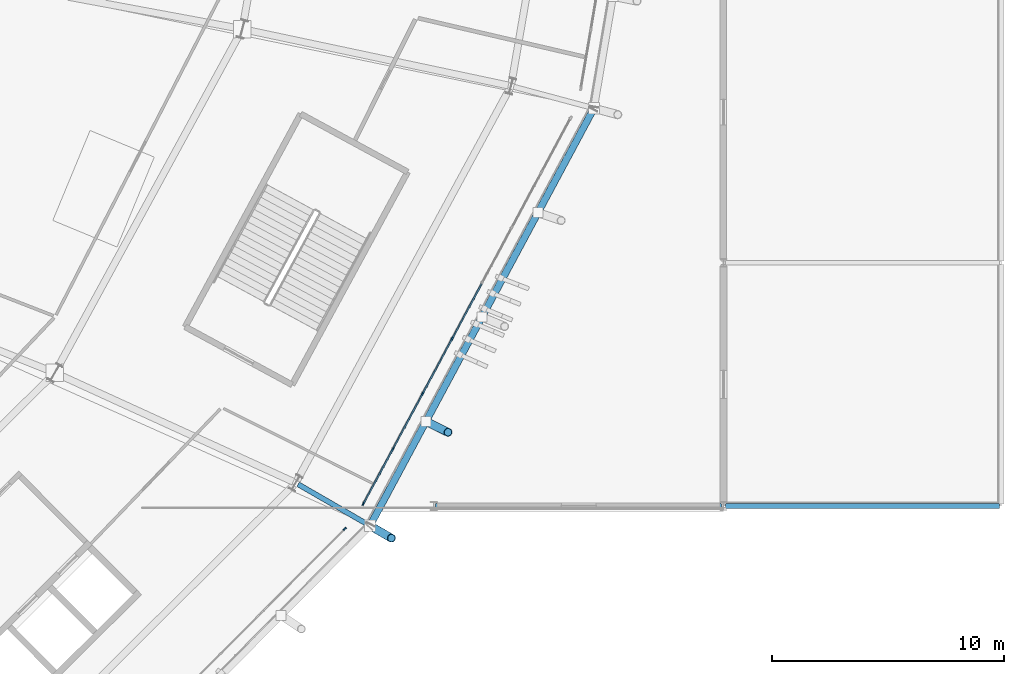
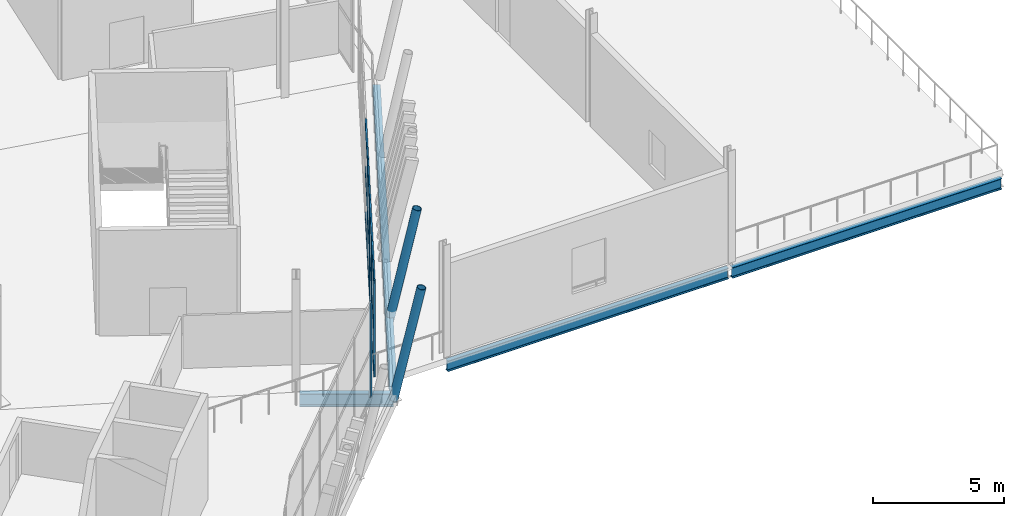
# One storey, part 55 of 168: 19 members, 4 beams, 2 elements without a shape of their own.
"""IFC4 building model written with IfcOpenShell, lengths in metres."""

from ifc_helpers import new_model, si_unit, direction, frame, origin, origin_2d, place, context, subcontext, project, spatial, rectangle, hollow_rectangle, hollow_circle, i_section, extrude, material, material_profile, profile_set, type_object, element, aggregate, save


model = new_model("IFC4")

# Units and contexts
model_context = context("Model", 3, precision=1e-05, world=origin(), true_north=direction((0.0, 1.0)))
body_context = subcontext(model_context, "Body", "Model", "MODEL_VIEW")
ifc_project = project(units=[si_unit("LENGTHUNIT", "METRE"), si_unit("AREAUNIT", "SQUARE_METRE"), si_unit("VOLUMEUNIT", "CUBIC_METRE"), si_unit("PLANEANGLEUNIT", "RADIAN"), si_unit("MASSUNIT", "GRAM", prefix="KILO")], contexts=[model_context])

# Site, building, storey
site_placement = place(None, origin())
site = spatial("IfcSite", under=ifc_project, at=site_placement, CompositionType="ELEMENT")
building_placement = place(site_placement, origin())
building = spatial("IfcBuilding", under=site, at=building_placement, Name="Zlatoyarsky Gate Stadium", CompositionType="ELEMENT")
storey_placement = place(building_placement, frame((0.0, 0.0, 15.60009765625)))
storey = spatial("IfcBuildingStorey", under=building, at=storey_placement, Name="L03", CompositionType="ELEMENT", Elevation=15.60009765625)

# Curtain wall, member
ifc_material_1 = material(Name="Thermally broken anodised aluminium curtain wall", Category="aluminium")
curtain_wall_type = type_object("IfcCurtainWallType", Name="UNITISED CORPORATE BOX GLAZING L03", PredefinedType="USERDEFINED", material=ifc_material_1)
curtain_wall_1_placement = place(storey_placement, origin())
curtain_wall_1 = element("IfcCurtainWall", 1, at=curtain_wall_1_placement, inside=storey, type_object=curtain_wall_type, Name="Curtain wall CW-L03-21", ObjectType="UNITISED GLAZING", PredefinedType="USERDEFINED")
ifc_material_2 = material(Name="Anodised aluminium 6063-T6", Category="aluminium")
ifc_material_profile_1 = material_profile(ifc_material_2, rectangle(XDim=0.06494140625, YDim=0.159912109375, at=origin_2d()), Name="ALU 65X160")
ifc_profile_set_1 = profile_set([ifc_material_profile_1], Name="Anodised aluminium 6063-T6")
member_type_1 = type_object("IfcMemberType", Name="ALUMINIUM MULLION 65X160", PredefinedType="MULLION", material=ifc_profile_set_1)
member_1_placement = place(storey_placement, frame((193.65869140625, 42.51513671875, 0.0), z_axis=(0.0, 0.0, 1.0), x_axis=(-0.708721143054, 0.705488725202, 0.0)))
member_1 = element("IfcMember", 2, at=member_1_placement, type_object=member_type_1, Name="CW-UG3 mullion 9", PredefinedType="MULLION", context=body_context, shape_type="SweptSolid", body=[
    extrude(rectangle(XDim=0.06494140625, YDim=0.159912109375, at=origin_2d()), origin(), (0.0, 0.0, 1.0), 4.3798828125),
])
aggregate(curtain_wall_1, [member_1])

# Curtain wall, members
curtain_wall_2_placement = place(storey_placement, origin())
curtain_wall_2 = element("IfcCurtainWall", 3, at=curtain_wall_2_placement, inside=storey, type_object=curtain_wall_type, Name="Curtain wall CW-L03-22", ObjectType="UNITISED GLAZING", PredefinedType="USERDEFINED")
member_2_placement = place(storey_placement, frame((194.46337890625, 43.60009765625, 0.0), z_axis=(0.0, 0.0, 1.0), x_axis=(-0.880877202392, 0.473344857694, 0.0)))
member_2 = element("IfcMember", 4, at=member_2_placement, type_object=member_type_1, Name="CW-UG3 mullion 1", PredefinedType="MULLION", context=body_context, shape_type="SweptSolid", body=[
    extrude(rectangle(XDim=0.06494140625, YDim=0.159912109375, at=origin_2d()), origin(), (0.0, 0.0, 1.0), 4.3798828125),
])
member_3_placement = place(storey_placement, frame((195.730224609375, 45.95751953125, 0.0), z_axis=(0.0, 0.0, 1.0), x_axis=(-0.880877202392, 0.473344857694, 0.0)))
member_3 = element("IfcMember", 5, at=member_3_placement, type_object=member_type_1, Name="CW-UG3 mullion 2", PredefinedType="MULLION", context=body_context, shape_type="SweptSolid", body=[
    extrude(rectangle(XDim=0.06494140625, YDim=0.159912109375, at=origin_2d()), origin(), (0.0, 0.0, 1.0), 4.3798828125),
])
member_4_placement = place(storey_placement, frame((197.012451171875, 48.34375, 0.0), z_axis=(0.0, 0.0, 1.0), x_axis=(-0.880877202392, 0.473344857694, 0.0)))
member_4 = element("IfcMember", 6, at=member_4_placement, type_object=member_type_1, Name="CW-UG3 mullion 3", PredefinedType="MULLION", context=body_context, shape_type="SweptSolid", body=[
    extrude(rectangle(XDim=0.06494140625, YDim=0.159912109375, at=origin_2d()), origin(), (0.0, 0.0, 1.0), 4.3798828125),
])
member_5_placement = place(storey_placement, frame((198.294677734375, 50.729736328125, 0.0), z_axis=(0.0, 0.0, 1.0), x_axis=(-0.880877202392, 0.473344857694, 0.0)))
member_5 = element("IfcMember", 7, at=member_5_placement, type_object=member_type_1, Name="CW-UG3 mullion 4", PredefinedType="MULLION", context=body_context, shape_type="SweptSolid", body=[
    extrude(rectangle(XDim=0.06494140625, YDim=0.159912109375, at=origin_2d()), origin(), (0.0, 0.0, 1.0), 4.3798828125),
])
ifc_material_profile_2 = material_profile(ifc_material_2, rectangle(XDim=0.06494140625, YDim=0.139892578125, at=origin_2d()), Name="ALU 65X140")
ifc_profile_set_2 = profile_set([ifc_material_profile_2], Name="Anodised aluminium 6063-T6")
member_type_2 = type_object("IfcMemberType", Name="ALUMINIUM TRANSOM 65X140", PredefinedType="USERDEFINED", material=ifc_profile_set_2)
member_6_placement = place(storey_placement, frame((194.478759765625, 43.628662109375, 0.032470703125), z_axis=(0.473347001092, 0.880876050621, 0.0), x_axis=(-0.880876050621, 0.473347001092, 0.0)))
member_6 = element("IfcMember", 8, at=member_6_placement, type_object=member_type_2, Name="CW-UG3 transom 1.1", ObjectType="TRANSOM", PredefinedType="USERDEFINED", context=body_context, shape_type="SweptSolid", body=[
    extrude(rectangle(XDim=0.06494140625, YDim=0.139892578125, at=origin_2d()), origin(), (0.0, 0.0, 1.0), 2.611328125),
])
member_7_placement = place(storey_placement, frame((194.478759765625, 43.628662109375, 2.14990234375), z_axis=(0.473347001092, 0.880876050621, 0.0), x_axis=(-0.880876050621, 0.473347001092, 0.0)))
member_7 = element("IfcMember", 9, at=member_7_placement, type_object=member_type_2, Name="CW-UG3 transom 1.2", ObjectType="TRANSOM", PredefinedType="USERDEFINED", context=body_context, shape_type="SweptSolid", body=[
    extrude(rectangle(XDim=0.06494140625, YDim=0.139892578125, at=origin_2d()), origin(), (0.0, 0.0, 1.0), 2.611328125),
])
member_8_placement = place(storey_placement, frame((194.478759765625, 43.628662109375, 4.347412109375), z_axis=(0.473347001092, 0.880876050621, 0.0), x_axis=(-0.880876050621, 0.473347001092, 0.0)))
member_8 = element("IfcMember", 10, at=member_8_placement, type_object=member_type_2, Name="CW-UG3 transom 1.3", ObjectType="TRANSOM", PredefinedType="USERDEFINED", context=body_context, shape_type="SweptSolid", body=[
    extrude(rectangle(XDim=0.06494140625, YDim=0.139892578125, at=origin_2d()), origin(), (0.0, 0.0, 1.0), 2.611328125),
])
member_9_placement = place(storey_placement, frame((195.74560546875, 45.986328125, 0.032470703125), z_axis=(0.473356241073, 0.880871085368, 0.0), x_axis=(-0.880871085368, 0.473356241073, 0.0)))
member_9 = element("IfcMember", 11, at=member_9_placement, type_object=member_type_2, Name="CW-UG3 transom 2.1", ObjectType="TRANSOM", PredefinedType="USERDEFINED", context=body_context, shape_type="SweptSolid", body=[
    extrude(rectangle(XDim=0.06494140625, YDim=0.139892578125, at=origin_2d()), origin(), (0.0, 0.0, 1.0), 2.643798828125),
])
member_10_placement = place(storey_placement, frame((195.74560546875, 45.986328125, 2.14990234375), z_axis=(0.473356241073, 0.880871085368, 0.0), x_axis=(-0.880871085368, 0.473356241073, 0.0)))
member_10 = element("IfcMember", 12, at=member_10_placement, type_object=member_type_2, Name="CW-UG3 transom 2.2", ObjectType="TRANSOM", PredefinedType="USERDEFINED", context=body_context, shape_type="SweptSolid", body=[
    extrude(rectangle(XDim=0.06494140625, YDim=0.139892578125, at=origin_2d()), origin(), (0.0, 0.0, 1.0), 2.643798828125),
])
member_11_placement = place(storey_placement, frame((195.74560546875, 45.986328125, 4.347412109375), z_axis=(0.473356241073, 0.880871085368, 0.0), x_axis=(-0.880871085368, 0.473356241073, 0.0)))
member_11 = element("IfcMember", 13, at=member_11_placement, type_object=member_type_2, Name="CW-UG3 transom 2.3", ObjectType="TRANSOM", PredefinedType="USERDEFINED", context=body_context, shape_type="SweptSolid", body=[
    extrude(rectangle(XDim=0.06494140625, YDim=0.139892578125, at=origin_2d()), origin(), (0.0, 0.0, 1.0), 2.643798828125),
])
member_12_placement = place(storey_placement, frame((197.02783203125, 48.372314453125, 0.032470703125), z_axis=(0.473284583402, 0.880909588502, 0.0), x_axis=(-0.880909588502, 0.473284583402, 0.0)))
member_12 = element("IfcMember", 14, at=member_12_placement, type_object=member_type_2, Name="CW-UG3 transom 3.1", ObjectType="TRANSOM", PredefinedType="USERDEFINED", context=body_context, shape_type="SweptSolid", body=[
    extrude(rectangle(XDim=0.06494140625, YDim=0.139892578125, at=origin_2d()), origin(), (0.0, 0.0, 1.0), 2.643798828125),
])
member_13_placement = place(storey_placement, frame((197.02783203125, 48.372314453125, 2.14990234375), z_axis=(0.473284583402, 0.880909588502, 0.0), x_axis=(-0.880909588502, 0.473284583402, 0.0)))
member_13 = element("IfcMember", 15, at=member_13_placement, type_object=member_type_2, Name="CW-UG3 transom 3.2", ObjectType="TRANSOM", PredefinedType="USERDEFINED", context=body_context, shape_type="SweptSolid", body=[
    extrude(rectangle(XDim=0.06494140625, YDim=0.139892578125, at=origin_2d()), origin(), (0.0, 0.0, 1.0), 2.643798828125),
])
member_14_placement = place(storey_placement, frame((197.02783203125, 48.372314453125, 4.347412109375), z_axis=(0.473284583402, 0.880909588502, 0.0), x_axis=(-0.880909588502, 0.473284583402, 0.0)))
member_14 = element("IfcMember", 16, at=member_14_placement, type_object=member_type_2, Name="CW-UG3 transom 3.3", ObjectType="TRANSOM", PredefinedType="USERDEFINED", context=body_context, shape_type="SweptSolid", body=[
    extrude(rectangle(XDim=0.06494140625, YDim=0.139892578125, at=origin_2d()), origin(), (0.0, 0.0, 1.0), 2.643798828125),
])
member_15_placement = place(storey_placement, frame((198.31005859375, 50.758544921875, 0.032470703125), z_axis=(0.473323087984, 0.880888900135, 0.0), x_axis=(-0.880888900135, 0.473323087984, 0.0)))
member_15 = element("IfcMember", 17, at=member_15_placement, type_object=member_type_2, Name="CW-UG3 transom 4.1", ObjectType="TRANSOM", PredefinedType="USERDEFINED", context=body_context, shape_type="SweptSolid", body=[
    extrude(rectangle(XDim=0.06494140625, YDim=0.139892578125, at=origin_2d()), origin(), (0.0, 0.0, 1.0), 2.6435546875),
])
member_16_placement = place(storey_placement, frame((198.31005859375, 50.758544921875, 2.14990234375), z_axis=(0.473323087984, 0.880888900135, 0.0), x_axis=(-0.880888900135, 0.473323087984, 0.0)))
member_16 = element("IfcMember", 18, at=member_16_placement, type_object=member_type_2, Name="CW-UG3 transom 4.2", ObjectType="TRANSOM", PredefinedType="USERDEFINED", context=body_context, shape_type="SweptSolid", body=[
    extrude(rectangle(XDim=0.06494140625, YDim=0.139892578125, at=origin_2d()), origin(), (0.0, 0.0, 1.0), 2.6435546875),
])
member_17_placement = place(storey_placement, frame((198.31005859375, 50.758544921875, 4.347412109375), z_axis=(0.473323087984, 0.880888900135, 0.0), x_axis=(-0.880888900135, 0.473323087984, 0.0)))
member_17 = element("IfcMember", 19, at=member_17_placement, type_object=member_type_2, Name="CW-UG3 transom 4.3", ObjectType="TRANSOM", PredefinedType="USERDEFINED", context=body_context, shape_type="SweptSolid", body=[
    extrude(rectangle(XDim=0.06494140625, YDim=0.139892578125, at=origin_2d()), origin(), (0.0, 0.0, 1.0), 2.6435546875),
])
aggregate(curtain_wall_2, [member_2, member_3, member_4, member_5, member_6, member_7, member_8, member_9, member_10, member_11, member_12, member_13, member_14, member_15, member_16, member_17])

# Beams
ifc_material_3 = material(Name="Steel S355", Category="steel")
ifc_material_profile_3 = material_profile(ifc_material_3, i_section(OverallWidth=0.219970703125, OverallDepth=0.60009765625, WebThickness=0.011962890625, FlangeThickness=0.01904296875, FilletRadius=0.02392578125, at=origin_2d()), Name="IPE 600")
ifc_profile_set_3 = profile_set([ifc_material_profile_3], Name="Steel S355")
beam_type_1 = type_object("IfcBeamType", Name="STEEL CANTILEVER FLOOR BEAM IPE 600", PredefinedType="BEAM", material=ifc_profile_set_3)
beam_1_placement = place(storey_placement, frame((191.644287109375, 44.43994140625, -0.580078125), z_axis=(0.866036909293, -0.499980071345, 0.0), x_axis=(0.499980071345, 0.866036909293, 0.0)))
element("IfcBeam", 20, at=beam_1_placement, inside=storey, type_object=beam_type_1, Name="Beam B-IPE600 BM-L03-OUT-22", PredefinedType="BEAM", context=body_context, shape_type="SweptSolid", body=[
    extrude(i_section(OverallWidth=0.219970703125, OverallDepth=0.60009765625, WebThickness=0.011962890625, FlangeThickness=0.01904296875, FilletRadius=0.02392578125, at=origin_2d()), origin(), (0.0, 0.0, 1.0), 3.582275390625),
])
ifc_material_profile_4 = material_profile(ifc_material_3, i_section(OverallWidth=0.199951171875, OverallDepth=0.5, WebThickness=0.01025390625, FlangeThickness=0.01611328125, FilletRadius=0.02099609375, at=origin_2d()), Name="IPE 500")
ifc_profile_set_4 = profile_set([ifc_material_profile_4], Name="Steel S355")
beam_type_2 = type_object("IfcBeamType", Name="STEEL FLOOR BEAM IPE 500", PredefinedType="BEAM", material=ifc_profile_set_4)
beam_2_placement = place(storey_placement, frame((197.580078125, 43.5, -0.530029296875), z_axis=(1.0, 0.0, 0.0), x_axis=(0.0, 1.0, 0.0)))
element("IfcBeam", 21, at=beam_2_placement, inside=storey, type_object=beam_type_2, Name="Beam B-IPE500 BM-L03-WGX-17-E", PredefinedType="BEAM", context=body_context, shape_type="SweptSolid", body=[
    extrude(i_section(OverallWidth=0.199951171875, OverallDepth=0.5, WebThickness=0.01025390625, FlangeThickness=0.01611328125, FilletRadius=0.02099609375, at=origin_2d()), origin(), (0.0, 0.0, 1.0), 12.33984375),
])
beam_3_placement = place(storey_placement, frame((210.080078125, 43.5, -0.570068359375), z_axis=(1.0, 0.0, 0.0), x_axis=(0.0, 1.0, 0.0)))
element("IfcBeam", 22, at=beam_3_placement, inside=storey, type_object=beam_type_2, Name="Beam B-IPE500 BM-L03-WGX-18-E", PredefinedType="BEAM", context=body_context, shape_type="SweptSolid", body=[
    extrude(i_section(OverallWidth=0.199951171875, OverallDepth=0.5, WebThickness=0.01025390625, FlangeThickness=0.01611328125, FilletRadius=0.02099609375, at=origin_2d()), origin(), (0.0, 0.0, 1.0), 11.83984375),
])

# Members
ifc_material_profile_5 = material_profile(ifc_material_3, hollow_circle(Radius=0.177734375, WallThickness=0.02001953125, at=origin_2d()), Name="CHS 355.6X20")
ifc_profile_set_5 = profile_set([ifc_material_profile_5], Name="Steel S355")
member_type_3 = type_object("IfcMemberType", Name="STEEL LEANING RIB RING STRUT CHS 355.6X20", PredefinedType="STRUT", material=ifc_profile_set_5)
member_18_placement = place(storey_placement, frame((194.74658203125, 42.64892578125, -0.580078125), z_axis=(0.174770288575, -0.100910684317, 0.979424514714), x_axis=(0.500026055714, 0.866010359988, 0.0)))
element("IfcMember", 23, at=member_18_placement, inside=storey, type_object=member_type_3, Name="Leaning ring strut 22 L03 to L04", PredefinedType="STRUT", context=body_context, shape_type="SweptSolid", body=[
    extrude(hollow_circle(Radius=0.177734375, WallThickness=0.02001953125, at=origin_2d()), origin(), (0.0, 0.0, 1.0), 5.288818359375),
])
member_19_placement = place(storey_placement, frame((197.16162109375, 47.153076171875, -0.530029296875), z_axis=(0.17989404636, -0.08874649823, 0.979674533269), x_axis=(0.442419299673, 0.896808320254, 0.0)))
element("IfcMember", 24, at=member_19_placement, inside=storey, type_object=member_type_3, Name="Outward-leaning bowl louvre fin rib L03 22-1", PredefinedType="STRUT", context=body_context, shape_type="SweptSolid", body=[
    extrude(hollow_circle(Radius=0.177734375, WallThickness=0.02001953125, at=origin_2d()), origin(), (0.0, 0.0, 1.0), 5.287353515625),
])

# Beam
ifc_material_profile_6 = material_profile(ifc_material_3, hollow_rectangle(XDim=0.300048828125, YDim=0.5, WallThickness=0.02001953125, at=origin_2d()), Name="RHS 500X300X20")
ifc_profile_set_6 = profile_set([ifc_material_profile_6], Name="Steel S355")
beam_type_3 = type_object("IfcBeamType", Name="STEEL LOUVRE CARRIER SPANDREL RHS 500X300X20", PredefinedType="SPANDREL", material=ifc_profile_set_6)
beam_4_placement = place(storey_placement, frame((194.756103515625, 42.66650390625, -0.530029296875), z_axis=(0.472552104089, 0.88130273398, 0.0), x_axis=(-0.88130273398, 0.472552104089, 0.0)))
element("IfcBeam", 25, at=beam_4_placement, inside=storey, type_object=beam_type_3, Name="Beam SP-RHS500 BM-L03-SPD-22", PredefinedType="SPANDREL", context=body_context, shape_type="SweptSolid", body=[
    extrude(hollow_rectangle(XDim=0.300048828125, YDim=0.5, WallThickness=0.02001953125, at=origin_2d()), origin(), (0.0, 0.0, 1.0), 20.4033203125),
])

save(model, "model.ifc")
